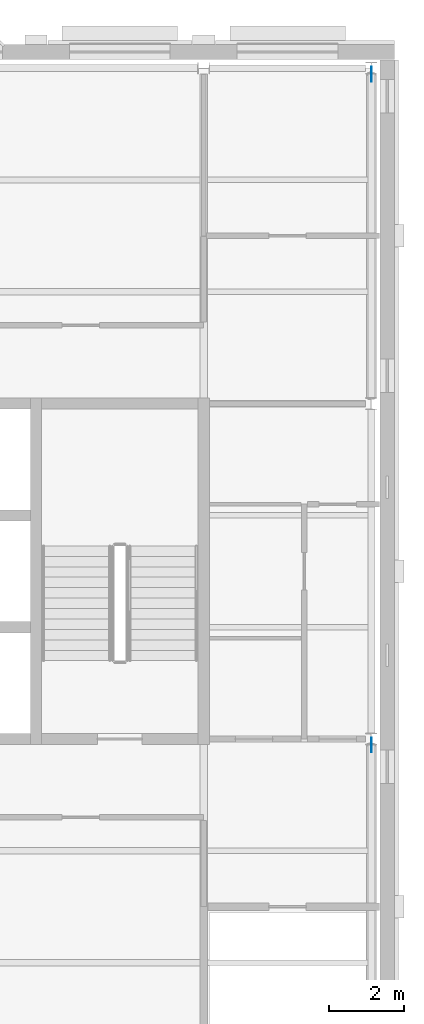
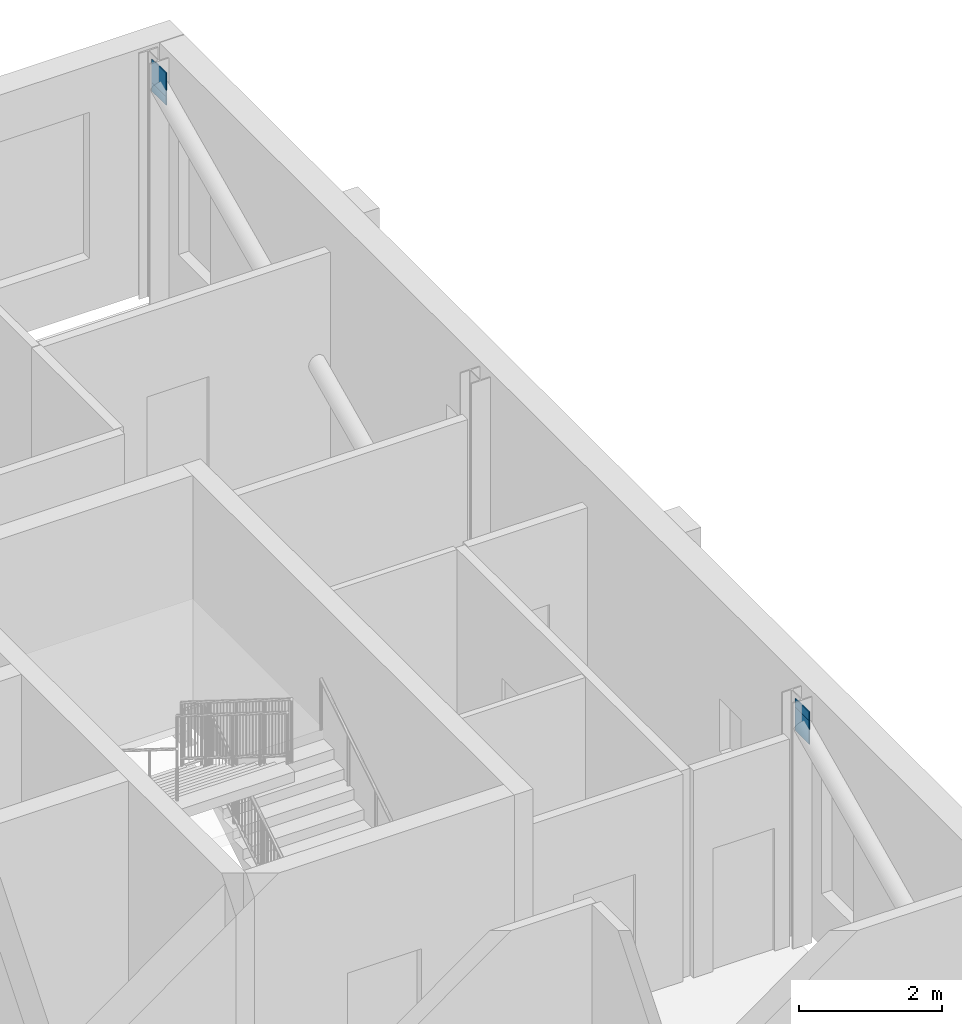
# One storey, part 7 of 9: 4 discrete accessories.
"""IFC4 building model written with IfcOpenShell, lengths in metres."""

from ifc_helpers import new_model, si_unit, direction, frame, origin, origin_2d, place, context, subcontext, project, spatial, rectangle, extrude, material, type_object, element, save


model = new_model("IFC4")

# Units and contexts
model_context = context("Model", 3, precision=1e-05, world=origin(), true_north=direction((0.0, 1.0)))
body_context = subcontext(model_context, "Body", "Model", "MODEL_VIEW")
ifc_project = project(units=[si_unit("LENGTHUNIT", "METRE"), si_unit("AREAUNIT", "SQUARE_METRE"), si_unit("VOLUMEUNIT", "CUBIC_METRE"), si_unit("PLANEANGLEUNIT", "RADIAN"), si_unit("MASSUNIT", "GRAM", prefix="KILO")], contexts=[model_context])

# Site, building, storey
site_placement = place(None, origin())
site = spatial("IfcSite", under=ifc_project, at=site_placement, CompositionType="ELEMENT")
building_placement = place(site_placement, origin())
building = spatial("IfcBuilding", under=site, at=building_placement, Name="Hortulan Conservatory and Botanical Research Centre", CompositionType="ELEMENT")
storey_placement = place(building_placement, frame((0.0, 0.0, 48.60009765625)))
storey = spatial("IfcBuildingStorey", under=building, at=storey_placement, Name="L11", CompositionType="ELEMENT", Elevation=48.60009765625)

# Discrete accessories
ifc_material = material(Name="Steel Grade 300 plate (AS/NZS 3678, 280 MPa minimum yield)", Category="steel")
discrete_accessory_type = type_object("IfcDiscreteAccessoryType", Name="End Plate 400x16", PredefinedType="BRACKET", material=ifc_material)
for number, where, z_axis, x_axis, name in (
    (1, (31.5, 8.839599609375, 3.566650390625), (0.0, 0.0, 1.0), (0.0, -1.0, 0.0), "Brace end plate"),
    (2, (31.5, 8.839599609375, 3.71630859375), (0.0, 0.0, 1.0), (0.0, -1.0, 0.0), "Brace end plate"),
    (3, (31.5, 26.839599609375, 3.566650390625), (0.0, 0.0, 1.0), (0.0, -1.0, 0.0), "Brace end plate"),
    (4, (31.5, 26.839599609375, 3.71630859375), (0.0, 0.0, 1.0), (0.0, -1.0, 0.0), "Brace end plate"),
):
    element("IfcDiscreteAccessory", number, at=place(storey_placement, frame(where, z_axis=z_axis, x_axis=x_axis)), inside=storey, type_object=discrete_accessory_type, Name=name, PredefinedType="BRACKET", context=body_context, shape_type="SweptSolid", body=[
        extrude(rectangle(XDim=0.39990234375, YDim=0.01611328125, at=origin_2d()), origin(), (0.0, 0.0, 1.0), 0.39990234375),
    ])

save(model, "model.ifc")
